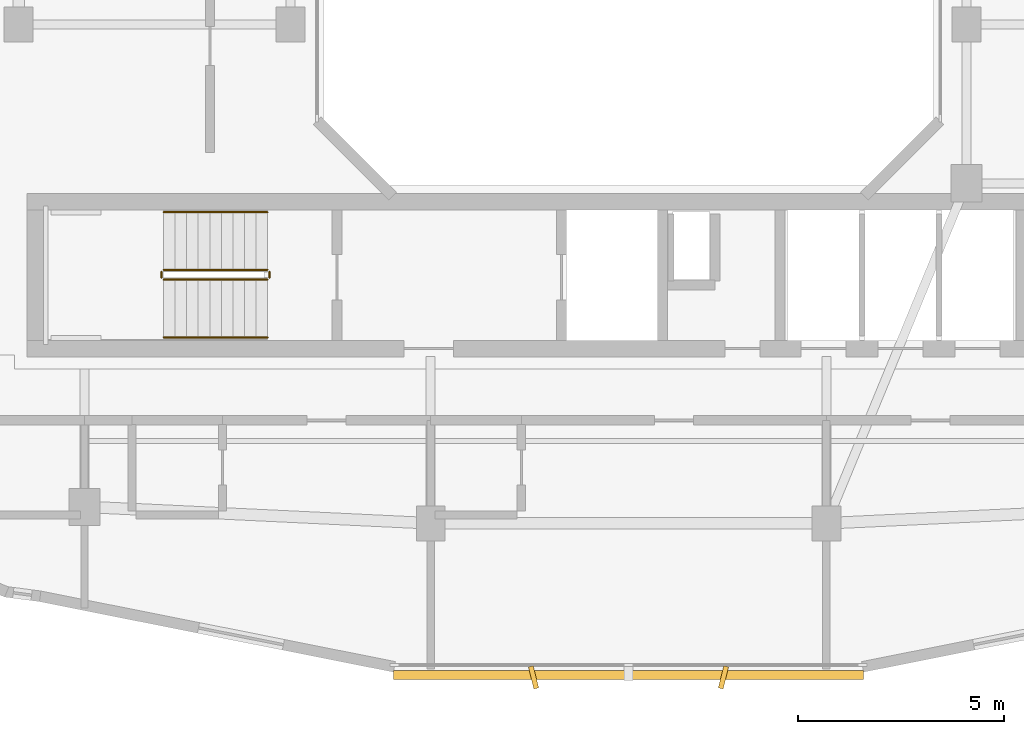
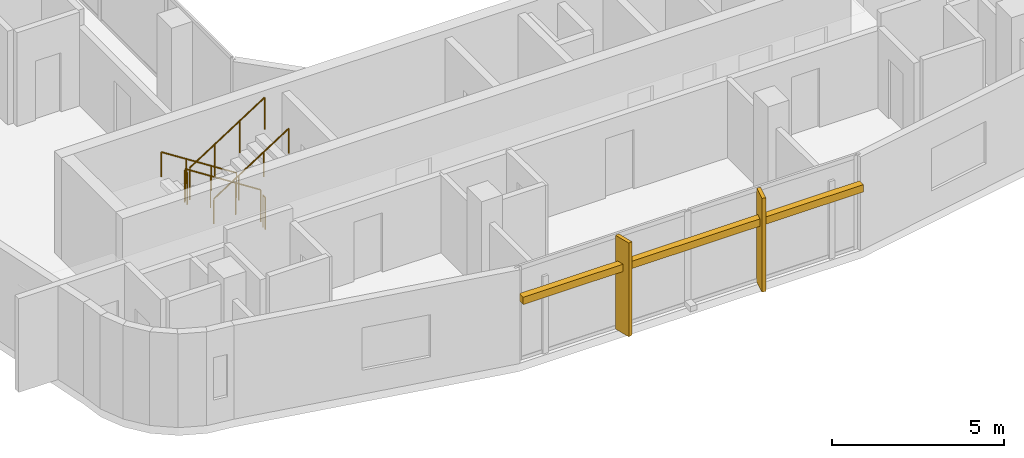
# One storey, part 11 of 14: 6 railings, 3 shading devices.
"""IFC4 building model written with IfcOpenShell, lengths in metres."""

from ifc_helpers import new_model, si_unit, derived_unit, direction, frame, origin, origin_2d, place, context, subcontext, project, spatial, rectangle, circle, extrude, material, type_object, element, save


model = new_model("IFC4")

# Units and contexts
model_context = context("Model", 3, precision=1e-05, world=origin(), true_north=direction((0.0, 1.0)))
body_context = subcontext(model_context, "Body", "Model", "MODEL_VIEW")
ifc_project = project(units=[si_unit("LENGTHUNIT", "METRE"), si_unit("AREAUNIT", "SQUARE_METRE"), si_unit("VOLUMEUNIT", "CUBIC_METRE"), si_unit("PLANEANGLEUNIT", "RADIAN"), si_unit("MASSUNIT", "GRAM", prefix="KILO"), derived_unit("THERMALTRANSMITTANCEUNIT", [(si_unit("POWERUNIT", "WATT"), 1), (si_unit("LENGTHUNIT", "METRE"), -2), (si_unit("THERMODYNAMICTEMPERATUREUNIT", "KELVIN"), -1)])], contexts=[model_context])

# Site, building, storey
site_placement = place(None, origin())
site = spatial("IfcSite", under=ifc_project, at=site_placement, CompositionType="ELEMENT")
building_placement = place(site_placement, origin())
building = spatial("IfcBuilding", under=site, at=building_placement, Name="Kivonza Crest Hotel", CompositionType="ELEMENT")
storey_placement = place(building_placement, frame((0.0, 0.0, 227.89990234375)))
storey = spatial("IfcBuildingStorey", under=building, at=storey_placement, Name="L62", CompositionType="ELEMENT", Elevation=227.89990234375)

# Railings
ifc_material_1 = material(Name="Brushed stainless steel handrail", Category="steel")
railing_type_1 = type_object("IfcRailingType", Name="RL-HAND-900", PredefinedType="HANDRAIL", material=ifc_material_1)
railing_1_placement = place(storey_placement, frame((12.239990234375, 16.949951171875, 0.18017578125)))
element("IfcRailing", 1, at=railing_1_placement, inside=storey, type_object=railing_type_1, Name="L62 ST-T1-S stair handrail 1", PredefinedType="HANDRAIL", context=body_context, shape_type="SweptSolid", body=[
    extrude(circle(Radius=0.02392578125, at=origin_2d()), frame((0.0, 0.0, 0.8759765625), z_axis=(-0.841199657755, 0.0, 0.540724639528), x_axis=(0.0, -1.0, 0.0)), (0.0, 0.0, 1.0), 2.995849609375),
    extrude(circle(Radius=0.02099609375, at=origin_2d()), origin(), (0.0, 0.0, 1.0), 0.851806640625),
    extrude(circle(Radius=0.02099609375, at=origin_2d()), frame((-0.840087890625, 0.0, 0.5400390625)), (0.0, 0.0, 1.0), 0.851806640625),
    extrude(circle(Radius=0.02099609375, at=origin_2d()), frame((-1.679931640625, 0.0, 1.079833984375)), (0.0, 0.0, 1.0), 0.851806640625),
    extrude(circle(Radius=0.02099609375, at=origin_2d()), frame((-2.52001953125, 0.0, 1.619873046875)), (0.0, 0.0, 1.0), 0.851806640625),
])
railing_2_placement = place(storey_placement, frame((9.719970703125, 13.909912109375, 1.97998046875)))
element("IfcRailing", 2, at=railing_2_placement, inside=storey, type_object=railing_type_1, Name="L62 ST-T1-S stair handrail 2", PredefinedType="HANDRAIL", context=body_context, shape_type="SweptSolid", body=[
    extrude(circle(Radius=0.02392578125, at=origin_2d()), frame((0.0, 0.0, 0.8759765625), z_axis=(0.841162588446, 0.0, 0.540782303519), x_axis=(0.0, 1.0, 0.0)), (0.0, 0.0, 1.0), 2.995849609375),
    extrude(circle(Radius=0.02099609375, at=origin_2d()), origin(), (0.0, 0.0, 1.0), 0.851806640625),
    extrude(circle(Radius=0.02099609375, at=origin_2d()), frame((0.840087890625, 0.0, 0.5400390625)), (0.0, 0.0, 1.0), 0.851806640625),
    extrude(circle(Radius=0.02099609375, at=origin_2d()), frame((1.679931640625, 0.0, 1.080078125)), (0.0, 0.0, 1.0), 0.851806640625),
    extrude(circle(Radius=0.02099609375, at=origin_2d()), frame((2.52001953125, 0.0, 1.6201171875)), (0.0, 0.0, 1.0), 0.851806640625),
])
ifc_material_2 = material(Name="Painted steel balustrade", Category="steel")
railing_type_2 = type_object("IfcRailingType", Name="RL-STAIR-1150", PredefinedType="BALUSTRADE", material=ifc_material_2)
railing_3_placement = place(storey_placement, frame((12.239990234375, 15.550048828125, 0.18017578125)))
element("IfcRailing", 3, at=railing_3_placement, inside=storey, type_object=railing_type_2, Name="L62 ST-T1-S stair guard 1", PredefinedType="BALUSTRADE", context=body_context, shape_type="SweptSolid", body=[
    extrude(circle(Radius=0.02392578125, at=origin_2d()), frame((0.0, 0.0, 1.1259765625), z_axis=(-0.841199657755, 0.0, 0.540724639528), x_axis=(0.0, -1.0, 0.0)), (0.0, 0.0, 1.0), 2.995849609375),
    extrude(circle(Radius=0.02099609375, at=origin_2d()), origin(), (0.0, 0.0, 1.0), 1.101806640625),
    extrude(circle(Radius=0.02099609375, at=origin_2d()), frame((-0.840087890625, 0.0, 0.5400390625)), (0.0, 0.0, 1.0), 1.101806640625),
    extrude(circle(Radius=0.02099609375, at=origin_2d()), frame((-1.679931640625, 0.0, 1.079833984375)), (0.0, 0.0, 1.0), 1.101806640625),
    extrude(circle(Radius=0.02099609375, at=origin_2d()), frame((-2.52001953125, 0.0, 1.619873046875)), (0.0, 0.0, 1.0), 1.101806640625),
])
railing_4_placement = place(storey_placement, frame((9.669921875, 15.5, 1.800048828125)))
element("IfcRailing", 4, at=railing_4_placement, inside=storey, type_object=railing_type_2, Name="L62 ST-T1-S stair guard 2", PredefinedType="BALUSTRADE", context=body_context, shape_type="SweptSolid", body=[
    extrude(circle(Radius=0.02392578125, at=origin_2d()), frame((0.0, 0.0, 1.1259765625), z_axis=(0.0, -1.0, 0.0), x_axis=(1.0, 0.0, 0.0)), (0.0, 0.0, 1.0), 0.139892578125),
    extrude(circle(Radius=0.02099609375, at=origin_2d()), origin(), (0.0, 0.0, 1.0), 1.101806640625),
    extrude(circle(Radius=0.02099609375, at=origin_2d()), frame((0.0, -0.139892578125, 0.0)), (0.0, 0.0, 1.0), 1.101806640625),
])
railing_5_placement = place(storey_placement, frame((9.719970703125, 15.31005859375, 1.97998046875)))
element("IfcRailing", 5, at=railing_5_placement, inside=storey, type_object=railing_type_2, Name="L62 ST-T1-S stair guard 3", PredefinedType="BALUSTRADE", context=body_context, shape_type="SweptSolid", body=[
    extrude(circle(Radius=0.02392578125, at=origin_2d()), frame((0.0, 0.0, 1.1259765625), z_axis=(0.841162588446, 0.0, 0.540782303519), x_axis=(0.0, 1.0, 0.0)), (0.0, 0.0, 1.0), 2.995849609375),
    extrude(circle(Radius=0.02099609375, at=origin_2d()), origin(), (0.0, 0.0, 1.0), 1.101806640625),
    extrude(circle(Radius=0.02099609375, at=origin_2d()), frame((0.840087890625, 0.0, 0.5400390625)), (0.0, 0.0, 1.0), 1.101806640625),
    extrude(circle(Radius=0.02099609375, at=origin_2d()), frame((1.679931640625, 0.0, 1.080078125)), (0.0, 0.0, 1.0), 1.101806640625),
    extrude(circle(Radius=0.02099609375, at=origin_2d()), frame((2.52001953125, 0.0, 1.6201171875)), (0.0, 0.0, 1.0), 1.101806640625),
])
railing_6_placement = place(storey_placement, frame((12.2900390625, 15.5, 0.0)))
element("IfcRailing", 6, at=railing_6_placement, inside=storey, type_object=railing_type_2, Name="L62 ST-T1-S stair guard 4", PredefinedType="BALUSTRADE", context=body_context, shape_type="SweptSolid", body=[
    extrude(circle(Radius=0.02392578125, at=origin_2d()), frame((0.0, 0.0, 1.1259765625), z_axis=(0.0, -1.0, 0.0), x_axis=(1.0, 0.0, 0.0)), (0.0, 0.0, 1.0), 0.139892578125),
    extrude(circle(Radius=0.02099609375, at=origin_2d()), origin(), (0.0, 0.0, 1.0), 1.101806640625),
    extrude(circle(Radius=0.02099609375, at=origin_2d()), frame((0.0, -0.139892578125, 0.0)), (0.0, 0.0, 1.0), 1.101806640625),
])

# Shading devices
ifc_material_3 = material(Name="Kiln-fired Nairobi red-ochre terracotta", Category="masonry")
shading_device_type_1 = type_object("IfcShadingDeviceType", Name="SH-BAGUETTE-300", PredefinedType="USERDEFINED", material=ifc_material_3)
shading_device_placement = place(storey_placement, frame((21.0, 5.719970703125, 2.1943359375), z_axis=(0.0, 0.0, 1.0), x_axis=(1.0, 0.0, 0.0)))
element("IfcShadingDevice", 7, at=shading_device_placement, inside=storey, type_object=shading_device_type_1, Name="L62 terracotta baguette screen CW-T1-L62-08", ObjectType="BAGUETTE", PredefinedType="USERDEFINED", context=body_context, shape_type="SweptSolid", body=[
    extrude(rectangle(XDim=11.39990234375, YDim=0.219970703125, at=origin_2d()), origin(), (0.0, 0.0, 1.0), 0.260009765625),
])
ifc_material_4 = material(Name="Kiln-fired terracotta over extruded aluminium spine", Category="masonry")
shading_device_type_2 = type_object("IfcShadingDeviceType", Name="SH-FIN-550", PredefinedType="USERDEFINED", material=ifc_material_4)
for number, where, z_axis, x_axis, name in (
    (8, (18.696044921875, 5.659912109375, 0.0), (0.0, 0.0, 1.0), (0.970295726276, 0.2419218956, 0.0), "L62 vertical solar shading fin CW-T1-L62-08-1"),
    (9, (23.303955078125, 5.659912109375, 0.0), (0.0, 0.0, 1.0), (0.970295726276, -0.2419218956, 0.0), "L62 vertical solar shading fin CW-T1-L62-08-2"),
):
    element("IfcShadingDevice", number, at=place(storey_placement, frame(where, z_axis=z_axis, x_axis=x_axis)), inside=storey, type_object=shading_device_type_2, Name=name, ObjectType="FIN", PredefinedType="USERDEFINED", context=body_context, shape_type="SweptSolid", body=[
        extrude(rectangle(XDim=0.1201171875, YDim=0.550048828125, at=origin_2d()), origin(), (0.0, 0.0, 1.0), 3.320068359375),
    ])

save(model, "model.ifc")
